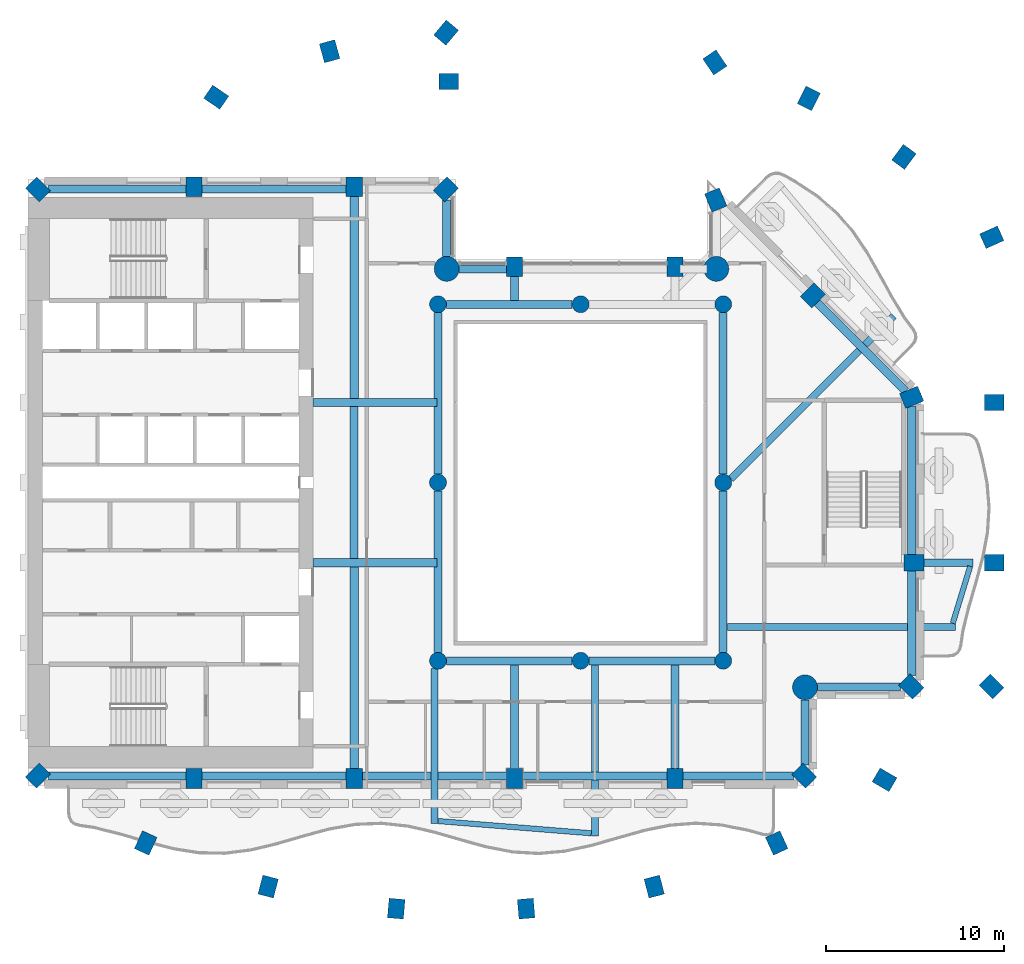
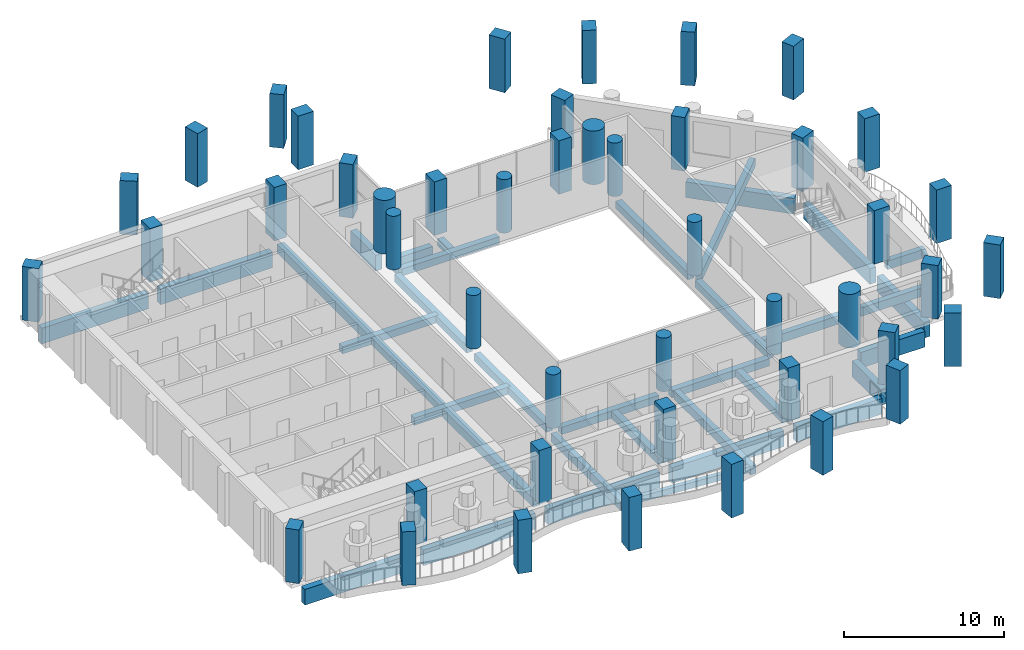
# One storey, part 1 of 15: 46 columns, 36 beams.
"""IFC4 building model written with IfcOpenShell, lengths in metres."""

from ifc_helpers import new_model, si_unit, direction, frame, origin, origin_2d, place, context, subcontext, project, spatial, rectangle, circle, extrude, material, material_profile, profile_set, type_object, element, save


model = new_model("IFC4")

# Units and contexts
model_context = context("Model", 3, precision=1e-05, world=origin(), true_north=direction((0.0, 1.0)))
body_context = subcontext(model_context, "Body", "Model", "MODEL_VIEW")
ifc_project = project(units=[si_unit("LENGTHUNIT", "METRE"), si_unit("AREAUNIT", "SQUARE_METRE"), si_unit("VOLUMEUNIT", "CUBIC_METRE"), si_unit("PLANEANGLEUNIT", "RADIAN"), si_unit("MASSUNIT", "GRAM", prefix="KILO")], contexts=[model_context])

# Site, building, storey
site_placement = place(None, origin())
site = spatial("IfcSite", under=ifc_project, at=site_placement, CompositionType="ELEMENT")
building_placement = place(site_placement, origin())
building = spatial("IfcBuilding", under=site, at=building_placement, Name="Cypress Arch Tower", CompositionType="ELEMENT")
storey_placement = place(building_placement, frame((0.0, 0.0, 234.300048828125)))
storey = spatial("IfcBuildingStorey", under=building, at=storey_placement, Name="L52", CompositionType="ELEMENT", Elevation=234.300048828125)

# Columns
ifc_material_1 = material(Name="Concrete C70/85", Category="concrete")
ifc_material_profile_1 = material_profile(ifc_material_1, rectangle(XDim=0.89990234375, YDim=1.10009765625, at=origin_2d()), Name="RC 900x1100")
ifc_profile_set_1 = profile_set([ifc_material_profile_1], Name="Concrete C70/85")
column_type_1 = type_object("IfcColumnType", Name="Column RC 900x1100 Concrete C70/85", PredefinedType="COLUMN", material=ifc_profile_set_1)
for number, where, z_axis, x_axis, name in (
    (1, (-29.44287109375, 16.44287109375, 0.0), (0.0, 0.0, 1.0), (-0.707106781187, -0.707106781187, 0.0), "Column L52 CB00"),
    (2, (-29.44287109375, -16.44287109375, 0.0), (0.0, 0.0, 1.0), (0.707106781187, -0.707106781187, 0.0), "Column L52 CB01"),
    (3, (-20.699951171875, -16.60009765625, 0.0), (0.0, 0.0, 1.0), (1.0, 0.0, 0.0), "Column L52 CB02"),
    (4, (-11.699951171875, -16.60009765625, 0.0), (0.0, 0.0, 1.0), (1.0, 0.0, 0.0), "Column L52 CB03"),
    (5, (-2.699951171875, -16.60009765625, 0.0), (0.0, 0.0, 1.0), (1.0, 0.0, 0.0), "Column L52 CB04"),
    (6, (6.300048828125, -16.60009765625, 0.0), (0.0, 0.0, 1.0), (1.0, 0.0, 0.0), "Column L52 CB05"),
    (7, (13.54296875, -16.44287109375, 0.0), (0.0, 0.0, 1.0), (0.707106781187, 0.707106781187, 0.0), "Column L52 CB06"),
    (8, (19.54296875, -11.44287109375, 0.0), (0.0, 0.0, 1.0), (0.707106781187, 0.707106781187, 0.0), "Column L52 CB08"),
    (9, (19.699951171875, -4.5, 0.0), (0.0, 0.0, 1.0), (0.0, 1.0, 0.0), "Column L52 CB09"),
    (10, (19.569580078125, 4.7802734375, 0.0), (0.0, 0.0, 1.0), (-0.382683496864, 0.923879505795, 0.0), "Column L52 CB10"),
    (11, (14.029296875, 10.505126953125, 0.0), (0.0, 0.0, 1.0), (-0.707106781187, 0.707106781187, 0.0), "Column L52 CB11"),
    (12, (8.576171875, 15.850341796875, 0.0), (0.0, 0.0, 1.0), (-0.923879672772, -0.382683093746, 0.0), "Column L52 CB12"),
    (13, (6.300048828125, 12.10009765625, 0.0), (0.0, 0.0, 1.0), (-1.0, 0.0, 0.0), "Column L52 CB14"),
    (14, (-2.699951171875, 12.10009765625, 0.0), (0.0, 0.0, 1.0), (-1.0, 0.0, 0.0), "Column L52 CB15"),
    (15, (-6.55712890625, 16.44287109375, 0.0), (0.0, 0.0, 1.0), (-0.707106781187, 0.707106781187, 0.0), "Column L52 CB17"),
    (16, (-11.699951171875, 16.60009765625, 0.0), (0.0, 0.0, 1.0), (-1.0, 0.0, 0.0), "Column L52 CB18"),
    (17, (-20.699951171875, 16.60009765625, 0.0), (0.0, 0.0, 1.0), (-1.0, 0.0, 0.0), "Column L52 CB19"),
    (18, (8.53076171875, 23.564697265625, 0.0), (0.0, 0.0, 1.0), (-0.828469606019, -0.560034027451, 0.0), "Column L52 CQ00"),
    (19, (-6.39990234375, 22.5, 0.0), (0.0, 0.0, 1.0), (0.0, 1.0, 0.0), "Column L52 CQ01"),
    (20, (-6.54833984375, 25.236572265625, 0.0), (0.0, 0.0, 1.0), (-0.766063514674, 0.642764880407, 0.0), "Column L52 CQ02"),
    (21, (-13.081298828125, 24.193359375, 0.0), (0.0, 0.0, 1.0), (-0.96345574646, -0.267867550506, 0.0), "Column L52 CQ03"),
    (22, (-19.44189453125, 21.616943359375, 0.0), (0.0, 0.0, 1.0), (-0.565892599589, -0.824478966215, 0.0), "Column L52 CQ04"),
    (23, (-23.398193359375, -20.221435546875, 0.0), (0.0, 0.0, 1.0), (0.909932071487, -0.414757308891, 0.0), "Column L52 CQ05"),
    (24, (-16.529052734375, -22.666259765625, 0.0), (0.0, 0.0, 1.0), (0.96735573689, -0.2534223319, 0.0), "Column L52 CQ06"),
    (25, (-9.3427734375, -23.903564453125, 0.0), (0.0, 0.0, 1.0), (0.996368206733, -0.085149260784, 0.0), "Column L52 CQ07"),
    (26, (-2.057373046875, -23.903564453125, 0.0), (0.0, 0.0, 1.0), (0.996368206733, 0.085149260784, 0.0), "Column L52 CQ08"),
    (27, (5.12890625, -22.666259765625, 0.0), (0.0, 0.0, 1.0), (0.96735573689, 0.2534223319, 0.0), "Column L52 CQ09"),
    (28, (11.998291015625, -20.221435546875, 0.0), (0.0, 0.0, 1.0), (0.909932071487, 0.414757308891, 0.0), "Column L52 CQ10"),
    (29, (18.048095703125, -16.677490234375, 0.0), (0.0, 0.0, 1.0), (0.504399289829, 0.86347053014, 0.0), "Column L52 CQ11"),
    (30, (24.04296875, -11.44287109375, 0.0), (0.0, 0.0, 1.0), (0.707106781187, 0.707106781187, 0.0), "Column L52 CQ12"),
    (31, (24.199951171875, -4.5, 0.0), (0.0, 0.0, 1.0), (0.0, 1.0, 0.0), "Column L52 CQ13"),
    (32, (24.199951171875, 4.5, 0.0), (0.0, 0.0, 1.0), (0.0, 1.0, 0.0), "Column L52 CQ14"),
    (33, (24.06396484375, 13.75927734375, 0.0), (0.0, 0.0, 1.0), (-0.409765058504, 0.912191096662, 0.0), "Column L52 CQ15"),
    (34, (19.13818359375, 18.267578125, 0.0), (0.0, 0.0, 1.0), (-0.802798546114, 0.596250362144, 0.0), "Column L52 CQ16"),
    (35, (13.80322265625, 21.549072265625, 0.0), (0.0, 0.0, 1.0), (-0.893106499805, 0.44984528452, 0.0), "Column L52 CQ17"),
):
    element("IfcColumn", number, at=place(storey_placement, frame(where, z_axis=z_axis, x_axis=x_axis)), inside=storey, type_object=column_type_1, Name=name, PredefinedType="COLUMN", context=body_context, shape_type="SweptSolid", body=[
        extrude(rectangle(XDim=0.89990234375, YDim=1.10009765625, at=origin_2d()), origin(), (0.0, 0.0, 1.0), 4.099853515625),
    ])
ifc_material_2 = material(Name="Concrete C70/85", Category="concrete")
ifc_material_profile_2 = material_profile(ifc_material_2, circle(Radius=0.47509765625, at=origin_2d()), Name="RC D950")
ifc_profile_set_2 = profile_set([ifc_material_profile_2], Name="Concrete C70/85")
column_type_2 = type_object("IfcColumnType", Name="Column RC D950 Concrete C70/85", PredefinedType="COLUMN", material=ifc_profile_set_2)
for number, where, z_axis, x_axis, name in (
    (36, (-7.0, -10.0, 0.0), (0.0, 0.0, 1.0), (1.0, 0.0, 0.0), "Column L52 RNG-L52-G-7-10"),
    (37, (-7.0, 0.0, 0.0), (0.0, 0.0, 1.0), (1.0, 0.0, 0.0), "Column L52 RNG-L52-G-7+0"),
    (38, (-7.0, 10.0, 0.0), (0.0, 0.0, 1.0), (1.0, 0.0, 0.0), "Column L52 RNG-L52-G-7+10"),
    (39, (1.0, -10.0, 0.0), (0.0, 0.0, 1.0), (1.0, 0.0, 0.0), "Column L52 RNG-L52-G+1-10"),
    (40, (1.0, 10.0, 0.0), (0.0, 0.0, 1.0), (1.0, 0.0, 0.0), "Column L52 RNG-L52-G+1+10"),
    (41, (9.0, -10.0, 0.0), (0.0, 0.0, 1.0), (1.0, 0.0, 0.0), "Column L52 RNG-L52-G+9-10"),
    (42, (9.0, 0.0, 0.0), (0.0, 0.0, 1.0), (1.0, 0.0, 0.0), "Column L52 RNG-L52-G+9+0"),
    (43, (9.0, 10.0, 0.0), (0.0, 0.0, 1.0), (1.0, 0.0, 0.0), "Column L52 RNG-L52-G+9+10"),
):
    element("IfcColumn", number, at=place(storey_placement, frame(where, z_axis=z_axis, x_axis=x_axis)), inside=storey, type_object=column_type_2, Name=name, PredefinedType="COLUMN", context=body_context, shape_type="SweptSolid", body=[
        extrude(circle(Radius=0.47509765625, at=origin_2d()), origin(), (0.0, 0.0, 1.0), 4.099853515625),
    ])
ifc_material_3 = material(Name="Concrete C70/85", Category="concrete")
ifc_material_profile_3 = material_profile(ifc_material_3, circle(Radius=0.699951171875, at=origin_2d()), Name="RC D1400")
ifc_profile_set_3 = profile_set([ifc_material_profile_3], Name="Concrete C70/85")
column_type_3 = type_object("IfcColumnType", Name="Mega-column RC D1400 Concrete C70/85", PredefinedType="COLUMN", material=ifc_profile_set_3)
for number, where, z_axis, x_axis, name in (
    (44, (13.587890625, -11.48779296875, 0.0), (0.0, 0.0, 1.0), (1.0, 0.0, 0.0), "Column L52 CB07"),
    (45, (8.612060546875, 11.98779296875, 0.0), (0.0, 0.0, 1.0), (1.0, 0.0, 0.0), "Column L52 CB13"),
    (46, (-6.51220703125, 11.98779296875, 0.0), (0.0, 0.0, 1.0), (1.0, 0.0, 0.0), "Column L52 CB16"),
):
    element("IfcColumn", number, at=place(storey_placement, frame(where, z_axis=z_axis, x_axis=x_axis)), inside=storey, type_object=column_type_3, Name=name, PredefinedType="COLUMN", context=body_context, shape_type="SweptSolid", body=[
        extrude(circle(Radius=0.699951171875, at=origin_2d()), origin(), (0.0, 0.0, 1.0), 4.099853515625),
    ])

# Beams
ifc_material_4 = material(Name="Concrete C50/60", Category="concrete")
ifc_material_profile_4 = material_profile(ifc_material_4, rectangle(XDim=0.300048828125, YDim=0.39990234375, at=origin_2d()), Name="RC 300x400")
ifc_profile_set_4 = profile_set([ifc_material_profile_4], Name="Concrete C50/60")
beam_type_1 = type_object("IfcBeamType", Name="Balcony edge beam RC 300x400 Concrete C50/60", PredefinedType="BEAM", material=ifc_profile_set_4)
beam_1_placement = place(storey_placement, frame((21.875244140625, -7.89990234375, -0.5), z_axis=(0.292157360653, 0.956370261257, 0.0), x_axis=(-0.956370261257, 0.292157360653, 0.0)))
element("IfcBeam", 47, at=beam_1_placement, inside=storey, type_object=beam_type_1, Name="Balcony edge beam L52 B04", PredefinedType="BEAM", context=body_context, shape_type="SweptSolid", body=[
    extrude(rectangle(XDim=0.300048828125, YDim=0.39990234375, at=origin_2d()), origin(), (0.0, 0.0, 1.0), 3.345947265625),
])
ifc_material_5 = material(Name="Concrete C50/60", Category="concrete")
ifc_material_profile_5 = material_profile(ifc_material_5, rectangle(XDim=0.300048828125, YDim=0.449951171875, at=origin_2d()), Name="RC 300x450")
ifc_profile_set_5 = profile_set([ifc_material_profile_5], Name="Concrete C50/60")
beam_type_2 = type_object("IfcBeamType", Name="Balcony edge beam RC 300x450 Concrete C50/60", PredefinedType="BEAM", material=ifc_profile_set_5)
beam_2_placement = place(storey_placement, frame((-7.0, -18.989501953125, -0.525146484375), z_axis=(0.996824449656, -0.079630500237, 0.0), x_axis=(0.079630500237, 0.996824449656, 0.0)))
element("IfcBeam", 48, at=beam_2_placement, inside=storey, type_object=beam_type_2, Name="Balcony edge beam L52 B01", PredefinedType="BEAM", context=body_context, shape_type="SweptSolid", body=[
    extrude(rectangle(XDim=0.300048828125, YDim=0.449951171875, at=origin_2d()), origin(), (0.0, 0.0, 1.0), 8.62744140625),
])
ifc_material_6 = material(Name="Concrete C50/60", Category="concrete")
ifc_material_profile_6 = material_profile(ifc_material_6, rectangle(XDim=0.39990234375, YDim=0.64990234375, at=origin_2d()), Name="RC 400x650")
ifc_profile_set_6 = profile_set([ifc_material_profile_6], Name="Concrete C50/60")
beam_type_3 = type_object("IfcBeamType", Name="Cantilever beam RC 400x650 Concrete C50/60", PredefinedType="BEAM", material=ifc_profile_set_6)
beam_3_placement = place(storey_placement, frame((-7.199951171875, -10.4306640625, -0.625), z_axis=(0.0, -1.0, 0.0), x_axis=(1.0, 0.0, 0.0)))
element("IfcBeam", 49, at=beam_3_placement, inside=storey, type_object=beam_type_3, Name="Cantilever beam L52 B01 1", PredefinedType="BEAM", context=body_context, shape_type="SweptSolid", body=[
    extrude(rectangle(XDim=0.39990234375, YDim=0.64990234375, at=origin_2d()), origin(), (0.0, 0.0, 1.0), 8.708984375),
])
beam_4_placement = place(storey_placement, frame((1.800048828125, -10.22509765625, -0.625), z_axis=(0.0, -1.0, 0.0), x_axis=(1.0, 0.0, 0.0)))
element("IfcBeam", 50, at=beam_4_placement, inside=storey, type_object=beam_type_3, Name="Cantilever beam L52 B01 2", PredefinedType="BEAM", context=body_context, shape_type="SweptSolid", body=[
    extrude(rectangle(XDim=0.39990234375, YDim=0.64990234375, at=origin_2d()), origin(), (0.0, 0.0, 1.0), 9.6015625),
])
beam_5_placement = place(storey_placement, frame((9.22509765625, -8.10009765625, -0.625), z_axis=(1.0, 0.0, 0.0), x_axis=(0.0, 1.0, 0.0)))
element("IfcBeam", 51, at=beam_5_placement, inside=storey, type_object=beam_type_3, Name="Cantilever beam L52 B04 1", PredefinedType="BEAM", context=body_context, shape_type="SweptSolid", body=[
    extrude(rectangle(XDim=0.39990234375, YDim=0.64990234375, at=origin_2d()), origin(), (0.0, 0.0, 1.0), 12.800048828125),
])
beam_6_placement = place(storey_placement, frame((20.25, -4.5, -0.625), z_axis=(1.0, 0.0, 0.0), x_axis=(0.0, 1.0, 0.0)))
element("IfcBeam", 52, at=beam_6_placement, inside=storey, type_object=beam_type_3, Name="Cantilever beam L52 B04 2", PredefinedType="BEAM", context=body_context, shape_type="SweptSolid", body=[
    extrude(rectangle(XDim=0.39990234375, YDim=0.64990234375, at=origin_2d()), origin(), (0.0, 0.0, 1.0), 2.7529296875),
])
beam_7_placement = place(storey_placement, frame((9.4287109375, 0.204345703125, -0.625), z_axis=(0.707097336284, 0.707116225963, 0.0), x_axis=(-0.707116225963, 0.707097336284, 0.0)))
element("IfcBeam", 53, at=beam_7_placement, inside=storey, type_object=beam_type_3, Name="Cantilever beam L52 B05 1", PredefinedType="BEAM", context=body_context, shape_type="SweptSolid", body=[
    extrude(rectangle(XDim=0.39990234375, YDim=0.64990234375, at=origin_2d()), origin(), (0.0, 0.0, 1.0), 12.924560546875),
])
ifc_material_7 = material(Name="Concrete C50/60", Category="concrete")
ifc_material_profile_7 = material_profile(ifc_material_7, rectangle(XDim=0.449951171875, YDim=0.550048828125, at=origin_2d()), Name="RC 450x550")
ifc_profile_set_7 = profile_set([ifc_material_profile_7], Name="Concrete C50/60")
beam_type_4 = type_object("IfcBeamType", Name="Floor beam RC 450x550 Concrete C50/60", PredefinedType="BEAM", material=ifc_profile_set_7)
for number, where, z_axis, x_axis, name in (
    (54, (-7.0, -9.52490234375, -0.574951171875), (0.0, 1.0, 0.0), (-1.0, 0.0, 0.0), "Floor beam L52 RB001"),
    (55, (-7.0, 0.47509765625, -0.574951171875), (0.0, 1.0, 0.0), (-1.0, 0.0, 0.0), "Floor beam L52 RB002"),
    (56, (9.0, -9.52490234375, -0.574951171875), (0.0, 1.0, 0.0), (-1.0, 0.0, 0.0), "Floor beam L52 RB003"),
    (57, (9.0, 0.47509765625, -0.574951171875), (0.0, 1.0, 0.0), (-1.0, 0.0, 0.0), "Floor beam L52 RB004"),
):
    element("IfcBeam", number, at=place(storey_placement, frame(where, z_axis=z_axis, x_axis=x_axis)), inside=storey, type_object=beam_type_4, Name=name, PredefinedType="BEAM", context=body_context, shape_type="SweptSolid", body=[
        extrude(rectangle(XDim=0.449951171875, YDim=0.550048828125, at=origin_2d()), origin(), (0.0, 0.0, 1.0), 9.0498046875),
    ])
for number, where, z_axis, x_axis, name in (
    (58, (-6.52490234375, -10.0, -0.574951171875), (1.0, 0.0, 0.0), (0.0, 1.0, 0.0), "Floor beam L52 RB005"),
    (59, (1.47509765625, -10.0, -0.574951171875), (1.0, 0.0, 0.0), (0.0, 1.0, 0.0), "Floor beam L52 RB006"),
    (60, (-6.52490234375, 10.0, -0.574951171875), (1.0, 0.0, 0.0), (0.0, 1.0, 0.0), "Floor beam L52 RB007"),
):
    element("IfcBeam", number, at=place(storey_placement, frame(where, z_axis=z_axis, x_axis=x_axis)), inside=storey, type_object=beam_type_4, Name=name, PredefinedType="BEAM", context=body_context, shape_type="SweptSolid", body=[
        extrude(rectangle(XDim=0.449951171875, YDim=0.550048828125, at=origin_2d()), origin(), (0.0, 0.0, 1.0), 7.0498046875),
    ])
for number, where, z_axis, x_axis, name in (
    (61, (-14.0, -4.5, -0.574951171875), (1.0, 0.0, 0.0), (0.0, 1.0, 0.0), "Floor beam L52 FB009"),
    (62, (-14.0, 4.5, -0.574951171875), (1.0, 0.0, 0.0), (0.0, 1.0, 0.0), "Floor beam L52 FB010"),
):
    element("IfcBeam", number, at=place(storey_placement, frame(where, z_axis=z_axis, x_axis=x_axis)), inside=storey, type_object=beam_type_4, Name=name, PredefinedType="BEAM", context=body_context, shape_type="SweptSolid", body=[
        extrude(rectangle(XDim=0.449951171875, YDim=0.550048828125, at=origin_2d()), origin(), (0.0, 0.0, 1.0), 6.949951171875),
    ])
beam_8_placement = place(storey_placement, frame((-11.699951171875, -4.27490234375, -0.574951171875), z_axis=(0.0, 1.0, 0.0), x_axis=(-1.0, 0.0, 0.0)))
element("IfcBeam", 63, at=beam_8_placement, inside=storey, type_object=beam_type_4, Name="Floor beam L52 FB012", PredefinedType="BEAM", context=body_context, shape_type="SweptSolid", body=[
    extrude(rectangle(XDim=0.449951171875, YDim=0.550048828125, at=origin_2d()), origin(), (0.0, 0.0, 1.0), 8.5498046875),
])
beam_9_placement = place(storey_placement, frame((-2.699951171875, -16.050048828125, -0.574951171875), z_axis=(0.0, 1.0, 0.0), x_axis=(-1.0, 0.0, 0.0)))
element("IfcBeam", 64, at=beam_9_placement, inside=storey, type_object=beam_type_4, Name="Floor beam L52 FB014", PredefinedType="BEAM", context=body_context, shape_type="SweptSolid", body=[
    extrude(rectangle(XDim=0.449951171875, YDim=0.550048828125, at=origin_2d()), origin(), (0.0, 0.0, 1.0), 5.824951171875),
])
beam_10_placement = place(storey_placement, frame((-2.699951171875, 10.22509765625, -0.574951171875), z_axis=(0.0, 1.0, 0.0), x_axis=(-1.0, 0.0, 0.0)))
element("IfcBeam", 65, at=beam_10_placement, inside=storey, type_object=beam_type_4, Name="Floor beam L52 FB015", PredefinedType="BEAM", context=body_context, shape_type="SweptSolid", body=[
    extrude(rectangle(XDim=0.449951171875, YDim=0.550048828125, at=origin_2d()), origin(), (0.0, 0.0, 1.0), 1.324951171875),
])
beam_11_placement = place(storey_placement, frame((6.300048828125, -16.050048828125, -0.574951171875), z_axis=(0.0, 1.0, 0.0), x_axis=(-1.0, 0.0, 0.0)))
element("IfcBeam", 66, at=beam_11_placement, inside=storey, type_object=beam_type_4, Name="Floor beam L52 FB016", PredefinedType="BEAM", context=body_context, shape_type="SweptSolid", body=[
    extrude(rectangle(XDim=0.449951171875, YDim=0.550048828125, at=origin_2d()), origin(), (0.0, 0.0, 1.0), 5.824951171875),
])
ifc_material_8 = material(Name="Concrete C50/60", Category="concrete")
ifc_material_profile_8 = material_profile(ifc_material_8, rectangle(XDim=0.5, YDim=0.64990234375, at=origin_2d()), Name="RC 500x650")
ifc_profile_set_8 = profile_set([ifc_material_profile_8], Name="Concrete C50/60")
beam_type_5 = type_object("IfcBeamType", Name="Floor beam RC 500x650 Concrete C50/60", PredefinedType="BEAM", material=ifc_profile_set_8)
for number, where, z_axis, x_axis, name in (
    (67, (-11.699951171875, -16.050048828125, -0.625), (0.0, 1.0, 0.0), (-1.0, 0.0, 0.0), "Floor beam L52 FB011"),
    (68, (-11.699951171875, 4.72509765625, -0.625), (0.0, 1.0, 0.0), (-1.0, 0.0, 0.0), "Floor beam L52 FB013"),
):
    element("IfcBeam", number, at=place(storey_placement, frame(where, z_axis=z_axis, x_axis=x_axis)), inside=storey, type_object=beam_type_5, Name=name, PredefinedType="BEAM", context=body_context, shape_type="SweptSolid", body=[
        extrude(rectangle(XDim=0.5, YDim=0.64990234375, at=origin_2d()), origin(), (0.0, 0.0, 1.0), 11.324951171875),
    ])
ifc_material_9 = material(Name="Concrete C50/60", Category="concrete")
ifc_material_profile_9 = material_profile(ifc_material_9, rectangle(XDim=0.449951171875, YDim=1.199951171875, at=origin_2d()), Name="RC 450x1200")
ifc_profile_set_9 = profile_set([ifc_material_profile_9], Name="Concrete C50/60")
beam_type_6 = type_object("IfcBeamType", Name="Spandrel beam RC 450x1200 Concrete C50/60", PredefinedType="SPANDREL", material=ifc_profile_set_9)
beam_12_placement = place(storey_placement, frame((-28.838623046875, -16.47509765625, -1.550048828125), z_axis=(1.0, 0.0, 0.0), x_axis=(0.0, 1.0, 0.0)))
element("IfcBeam", 69, at=beam_12_placement, inside=storey, type_object=beam_type_6, Name="Spandrel beam L52 BB01-0", PredefinedType="SPANDREL", context=body_context, shape_type="SweptSolid", body=[
    extrude(rectangle(XDim=0.449951171875, YDim=1.199951171875, at=origin_2d()), origin(), (0.0, 0.0, 1.0), 7.688720703125),
])
for number, where, z_axis, x_axis, name in (
    (70, (-20.25, -16.47509765625, -1.550048828125), (1.0, 0.0, 0.0), (0.0, 1.0, 0.0), "Spandrel beam L52 BB01-1"),
    (71, (-11.25, -16.47509765625, -1.550048828125), (1.0, 0.0, 0.0), (0.0, 1.0, 0.0), "Spandrel beam L52 BB01-2"),
    (72, (-2.25, -16.47509765625, -1.550048828125), (1.0, 0.0, 0.0), (0.0, 1.0, 0.0), "Spandrel beam L52 BB01-3"),
):
    element("IfcBeam", number, at=place(storey_placement, frame(where, z_axis=z_axis, x_axis=x_axis)), inside=storey, type_object=beam_type_6, Name=name, PredefinedType="SPANDREL", context=body_context, shape_type="SweptSolid", body=[
        extrude(rectangle(XDim=0.449951171875, YDim=1.199951171875, at=origin_2d()), origin(), (0.0, 0.0, 1.0), 8.10009765625),
    ])
beam_13_placement = place(storey_placement, frame((6.75, -16.47509765625, -1.550048828125), z_axis=(1.0, 0.0, 0.0), x_axis=(0.0, 1.0, 0.0)))
element("IfcBeam", 73, at=beam_13_placement, inside=storey, type_object=beam_type_6, Name="Spandrel beam L52 BB01-4", PredefinedType="SPANDREL", context=body_context, shape_type="SweptSolid", body=[
    extrude(rectangle(XDim=0.449951171875, YDim=1.199951171875, at=origin_2d()), origin(), (0.0, 0.0, 1.0), 6.188720703125),
])
beam_14_placement = place(storey_placement, frame((13.574951171875, -15.838623046875, -1.550048828125), z_axis=(0.0, 1.0, 0.0), x_axis=(-1.0, 0.0, 0.0)))
element("IfcBeam", 74, at=beam_14_placement, inside=storey, type_object=beam_type_6, Name="Spandrel beam L52 BB02-0", PredefinedType="SPANDREL", context=body_context, shape_type="SweptSolid", body=[
    extrude(rectangle(XDim=0.449951171875, YDim=1.199951171875, at=origin_2d()), origin(), (0.0, 0.0, 1.0), 3.651123046875),
])
beam_15_placement = place(storey_placement, frame((14.28759765625, -11.47509765625, -1.550048828125), z_axis=(1.0, 0.0, 0.0), x_axis=(0.0, 1.0, 0.0)))
element("IfcBeam", 75, at=beam_15_placement, inside=storey, type_object=beam_type_6, Name="Spandrel beam L52 BB03-0", PredefinedType="SPANDREL", context=body_context, shape_type="SweptSolid", body=[
    extrude(rectangle(XDim=0.449951171875, YDim=1.199951171875, at=origin_2d()), origin(), (0.0, 0.0, 1.0), 4.651123046875),
])
beam_16_placement = place(storey_placement, frame((19.574951171875, -10.838623046875, -1.550048828125), z_axis=(0.0, 1.0, 0.0), x_axis=(-1.0, 0.0, 0.0)))
element("IfcBeam", 76, at=beam_16_placement, inside=storey, type_object=beam_type_6, Name="Spandrel beam L52 BB04-0", PredefinedType="SPANDREL", context=body_context, shape_type="SweptSolid", body=[
    extrude(rectangle(XDim=0.449951171875, YDim=1.199951171875, at=origin_2d()), origin(), (0.0, 0.0, 1.0), 5.888671875),
])
beam_17_placement = place(storey_placement, frame((19.574951171875, -4.050048828125, -1.550048828125), z_axis=(0.0, 1.0, 0.0), x_axis=(-1.0, 0.0, 0.0)))
element("IfcBeam", 77, at=beam_17_placement, inside=storey, type_object=beam_type_6, Name="Spandrel beam L52 BB04-1", PredefinedType="SPANDREL", context=body_context, shape_type="SweptSolid", body=[
    extrude(rectangle(XDim=0.449951171875, YDim=1.199951171875, at=origin_2d()), origin(), (0.0, 0.0, 1.0), 8.345458984375),
])
beam_18_placement = place(storey_placement, frame((19.23046875, 5.126953125, -1.550048828125), z_axis=(-0.707106781187, 0.707106781187, 0.0), x_axis=(-0.707106781187, -0.707106781187, 0.0)))
element("IfcBeam", 78, at=beam_18_placement, inside=storey, type_object=beam_type_6, Name="Spandrel beam L52 BB05-0", PredefinedType="SPANDREL", context=body_context, shape_type="SweptSolid", body=[
    extrude(rectangle(XDim=0.449951171875, YDim=1.199951171875, at=origin_2d()), origin(), (0.0, 0.0, 1.0), 7.03076171875),
])
beam_19_placement = place(storey_placement, frame((-3.14990234375, 11.97509765625, -1.550048828125), z_axis=(-1.0, 0.0, 0.0), x_axis=(0.0, -1.0, 0.0)))
element("IfcBeam", 79, at=beam_19_placement, inside=storey, type_object=beam_type_6, Name="Spandrel beam L52 BB07-2", PredefinedType="SPANDREL", context=body_context, shape_type="SweptSolid", body=[
    extrude(rectangle(XDim=0.449951171875, YDim=1.199951171875, at=origin_2d()), origin(), (0.0, 0.0, 1.0), 2.66259765625),
])
beam_20_placement = place(storey_placement, frame((-6.52490234375, 12.6875, -1.550048828125), z_axis=(0.0, 1.0, 0.0), x_axis=(-1.0, 0.0, 0.0)))
element("IfcBeam", 80, at=beam_20_placement, inside=storey, type_object=beam_type_6, Name="Spandrel beam L52 BB08-0", PredefinedType="SPANDREL", context=body_context, shape_type="SweptSolid", body=[
    extrude(rectangle(XDim=0.449951171875, YDim=1.199951171875, at=origin_2d()), origin(), (0.0, 0.0, 1.0), 3.151123046875),
])
beam_21_placement = place(storey_placement, frame((-12.14990234375, 16.47509765625, -1.550048828125), z_axis=(-1.0, 0.0, 0.0), x_axis=(0.0, -1.0, 0.0)))
element("IfcBeam", 81, at=beam_21_placement, inside=storey, type_object=beam_type_6, Name="Spandrel beam L52 BB09-1", PredefinedType="SPANDREL", context=body_context, shape_type="SweptSolid", body=[
    extrude(rectangle(XDim=0.449951171875, YDim=1.199951171875, at=origin_2d()), origin(), (0.0, 0.0, 1.0), 8.10009765625),
])
beam_22_placement = place(storey_placement, frame((-21.14990234375, 16.47509765625, -1.550048828125), z_axis=(-1.0, 0.0, 0.0), x_axis=(0.0, -1.0, 0.0)))
element("IfcBeam", 82, at=beam_22_placement, inside=storey, type_object=beam_type_6, Name="Spandrel beam L52 BB09-2", PredefinedType="SPANDREL", context=body_context, shape_type="SweptSolid", body=[
    extrude(rectangle(XDim=0.449951171875, YDim=1.199951171875, at=origin_2d()), origin(), (0.0, 0.0, 1.0), 7.688720703125),
])

save(model, "model.ifc")
